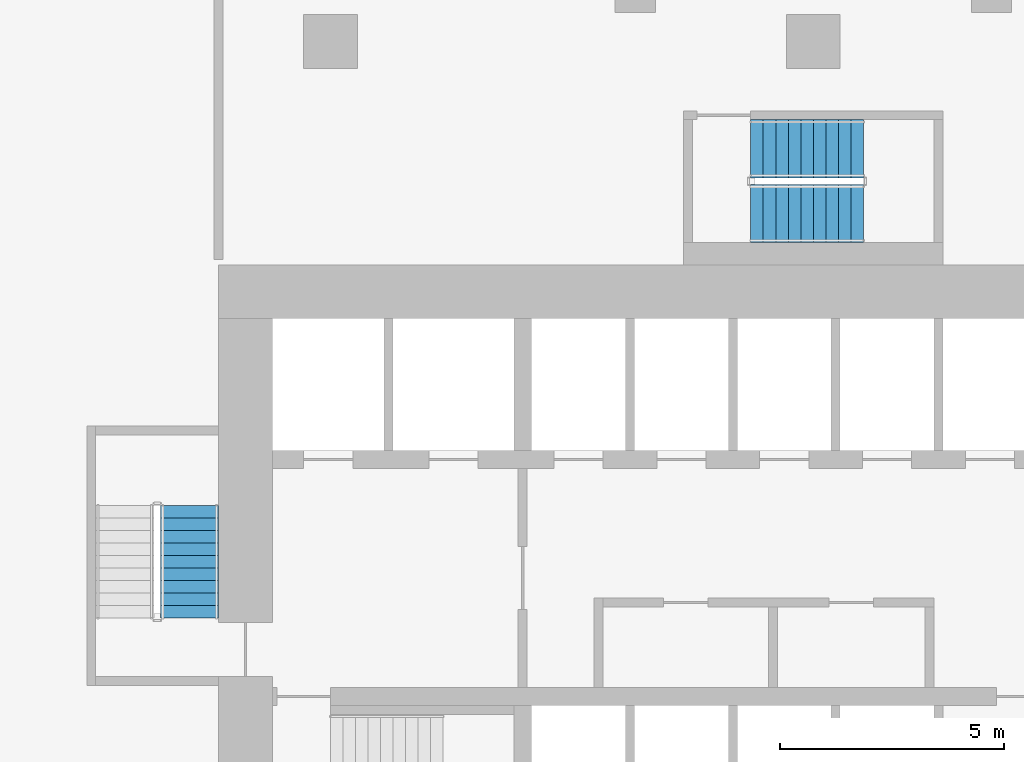
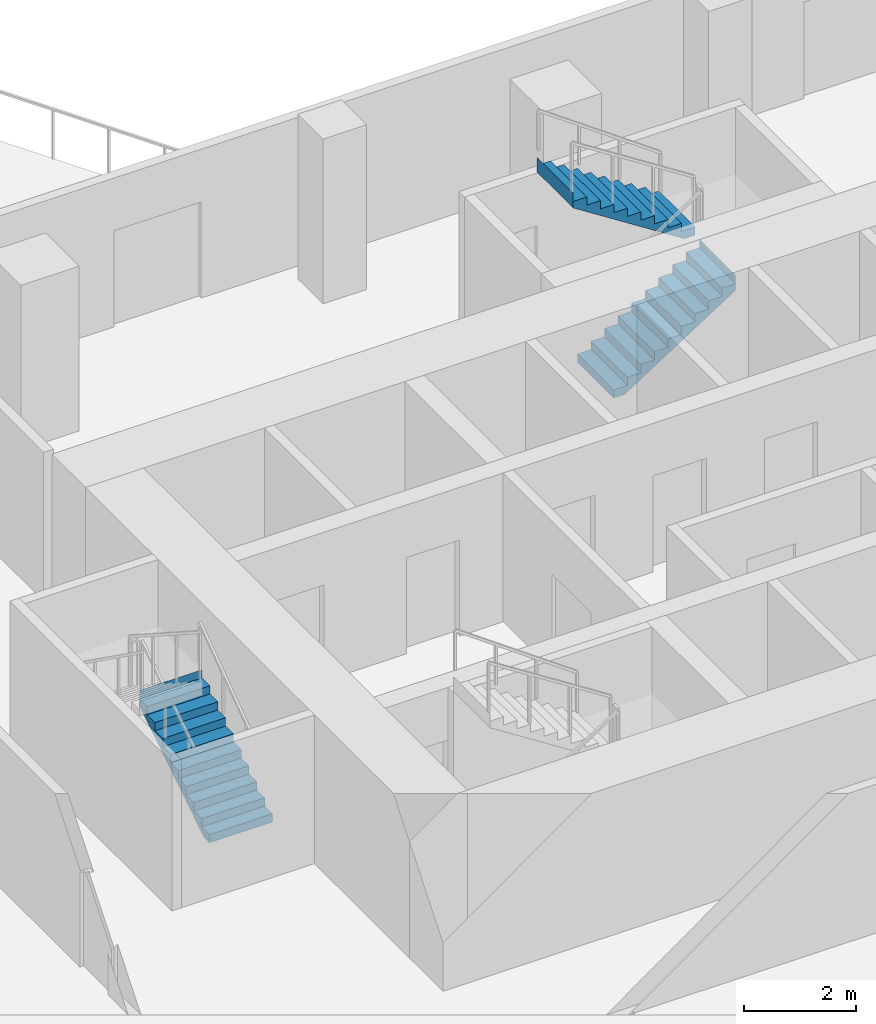
# One storey, part 19 of 25: 3 stair flights, 2 elements without a shape of their own.
"""IFC4 building model written with IfcOpenShell, lengths in metres."""

import ifcopenshell
import ifcopenshell.guid

model = None  # the IFC model being written
_history = None  # IfcOwnerHistory: only IFC2X3 demands one
_inside = {}  # id of a spatial element -> (the spatial element, [elements in it])
_under = {}  # id of a project, library or spatial element -> (it, [spatial elements below it])
_declared = {}  # id of a project -> (the project, [libraries it declares])
_typed = {}  # id of a type object -> (the type object, [elements of that type])
_made_of = {}  # id of a material, layer set ... -> (it, [elements and type objects made of it])


def new_model(schema):
    """Start an empty IFC model of exactly this schema.

    Asked for "IFC4X3", IfcOpenShell would pick the latest addendum, in which some entities
    have other attributes; the version numbers below select the first issue.
    IFC2X3 requires an IfcOwnerHistory on every rooted entity: one is made here for all.
    """
    global model, _history
    if schema == "IFC4X3":
        model = ifcopenshell.file(schema_version=(4, 3, 0, 0))
    else:
        model = ifcopenshell.file(schema=schema)
    _inside.clear()
    _under.clear()
    _declared.clear()
    _typed.clear()
    _made_of.clear()
    _history = None
    if model.schema == "IFC2X3":
        org = make("IfcOrganization", Name="unknown")
        user = make(
            "IfcPersonAndOrganization",
            ThePerson=make("IfcPerson", FamilyName="unknown"),
            TheOrganization=org,
        )
        app = make(
            "IfcApplication",
            ApplicationDeveloper=org,
            Version="unknown",
            ApplicationFullName="unknown",
            ApplicationIdentifier="unknown",
        )
        _history = make(
            "IfcOwnerHistory",
            OwningUser=user,
            OwningApplication=app,
            ChangeAction="ADDED",
            CreationDate=0,
        )
    return model


def make(cls, **values):
    """One entity of the class cls with the attributes given. An attribute that is None is left unset."""
    return model.create_entity(
        cls, **{name: value for name, value in values.items() if value is not None}
    )


def rooted(cls, **values):
    """An entity with a GlobalId (a new one), such as an element, a storey or a relation."""
    return make(cls, GlobalId=ifcopenshell.guid.new(), OwnerHistory=_history, **values)


def si_unit(unit_type, name, prefix=None):
    """IfcSIUnit, for example si_unit("LENGTHUNIT", "METRE", prefix="MILLI")."""
    return make("IfcSIUnit", UnitType=unit_type, Prefix=prefix, Name=name)


def assignment(units):
    """IfcUnitAssignment: the units of a project."""
    return None if units is None else make("IfcUnitAssignment", Units=units)


def point(xyz):
    """IfcCartesianPoint."""
    return None if xyz is None else make("IfcCartesianPoint", Coordinates=xyz)


def direction(xyz):
    """IfcDirection."""
    return None if xyz is None else make("IfcDirection", DirectionRatios=xyz)


def frame(location, z_axis=None, x_axis=None):
    """IfcAxis2Placement3D, a coordinate frame: its origin and axes. An axis left out is left unset."""
    return make(
        "IfcAxis2Placement3D",
        Location=point(location),
        Axis=direction(z_axis),
        RefDirection=direction(x_axis),
    )


def origin():
    """The frame at (0, 0, 0) with its axes left unset."""
    return frame((0.0, 0.0, 0.0))


def place(relative_to, where):
    """IfcLocalPlacement: puts the frame where relative to a parent placement (None: the world)."""
    return make(
        "IfcLocalPlacement", PlacementRelTo=relative_to, RelativePlacement=where
    )


def context(
    kind, dimensions, precision=None, world=None, true_north=None, identifier=None
):
    """IfcGeometricRepresentationContext, for example the 3D "Model" context."""
    return make(
        "IfcGeometricRepresentationContext",
        ContextIdentifier=identifier,
        ContextType=kind,
        CoordinateSpaceDimension=dimensions,
        Precision=precision,
        WorldCoordinateSystem=world,
        TrueNorth=true_north,
    )


def subcontext(parent, identifier, kind, view, scale=None):
    """IfcGeometricRepresentationSubContext, for example "Body" below "Model"."""
    return make(
        "IfcGeometricRepresentationSubContext",
        ContextIdentifier=identifier,
        ContextType=kind,
        ParentContext=parent,
        TargetScale=scale,
        TargetView=view,
    )


def project(units=None, contexts=None):
    """IfcProject with its units and contexts."""
    return rooted(
        "IfcProject",
        Name="project",
        RepresentationContexts=contexts,
        UnitsInContext=assignment(units),
    )


def spatial(cls, under=None, at=None, **own):
    """A site, building, storey or space (cls), placed at a placement, below another one or the project."""
    s = rooted(cls, ObjectPlacement=at, **own)
    if under is not None:
        _under.setdefault(under.id(), (under, []))[1].append(s)
    return s


def point_list(points):
    """IfcCartesianPointList2D or 3D."""
    cls = (
        "IfcCartesianPointList2D" if len(points[0]) == 2 else "IfcCartesianPointList3D"
    )
    return make(cls, CoordList=points)


def triangles(points, corners, closed=None, point_numbers=None):
    """IfcTriangulatedFaceSet: each triangle names its three corners, points numbered from 1."""
    return make(
        "IfcTriangulatedFaceSet",
        Coordinates=point_list(points),
        Closed=closed,
        CoordIndex=corners,
        PnIndex=point_numbers,
    )


def shape(context_of_items, identifier, shape_type, items):
    """IfcShapeRepresentation: the items that make up one representation, for example the "Body"."""
    return make(
        "IfcShapeRepresentation",
        ContextOfItems=context_of_items,
        RepresentationIdentifier=identifier,
        RepresentationType=shape_type,
        Items=items,
    )


def material(Name=None, Category=None):
    """IfcMaterial."""
    return make("IfcMaterial", Name=Name, Category=Category)


def made_of(thing, what):
    """Note that an element or type object is made of a material, layer set ...; save() writes the relation."""
    if what is not None:
        _made_of.setdefault(what.id(), (what, []))[1].append(thing)
    return thing


def type_object(cls, material=None, **own):
    """A type object (cls), such as IfcWallType, which elements share."""
    return made_of(rooted(cls, **own), material)


def element(
    cls,
    number,
    at=None,
    inside=None,
    cuts=None,
    type_object=None,
    material=None,
    context=None,
    identifier="Body",
    shape_type=None,
    held_by="IfcProductDefinitionShape",
    body=None,
    shapes=None,
    **own,
):
    """One element of the class cls, such as IfcWall. Its Tag is "e" and its number.

    at: its placement. inside: the storey or other place that contains it. cuts: it is an
    opening in that element (IfcRelVoidsElement). A single representation is given by context,
    identifier, shape_type and body (its items); several are given by shapes. held_by: the class
    of the entity that holds the representations. save() writes the other relations.
    """
    e = rooted(cls, Tag="e%d" % number, ObjectPlacement=at, **own)
    if body is not None:
        shapes = [shape(context, identifier, shape_type, body)]
    if shapes is not None:
        e.Representation = make(held_by, Representations=shapes)
    if inside is not None:
        _inside.setdefault(inside.id(), (inside, []))[1].append(e)
    if cuts is not None:
        rooted(
            "IfcRelVoidsElement", RelatingBuildingElement=cuts, RelatedOpeningElement=e
        )
    if type_object is not None:
        _typed.setdefault(type_object.id(), (type_object, []))[1].append(e)
    return made_of(e, material)


def aggregate(whole, parts):
    """IfcRelAggregates: a whole, such as a stair, and the parts it consists of."""
    return rooted("IfcRelAggregates", RelatingObject=whole, RelatedObjects=parts)


def save(model, path):
    """Write the relations noted so far, then the file.

    IfcRelAggregates (storeys below a building ...), IfcRelContainedInSpatialStructure (elements
    in a storey), IfcRelDefinesByType, IfcRelAssociatesMaterial and IfcRelDeclares: one each for
    every whole, place, type object, material and project.
    """
    for whole, parts in _under.values():
        aggregate(whole, parts)
    for where, things in _inside.values():
        rooted(
            "IfcRelContainedInSpatialStructure",
            RelatedElements=things,
            RelatingStructure=where,
        )
    for kind, things in _typed.values():
        rooted("IfcRelDefinesByType", RelatedObjects=things, RelatingType=kind)
    for what, things in _made_of.values():
        rooted("IfcRelAssociatesMaterial", RelatedObjects=things, RelatingMaterial=what)
    for by, libraries in _declared.values():
        rooted("IfcRelDeclares", RelatingContext=by, RelatedDefinitions=libraries)
    model.write(path)


model = new_model("IFC4")

# Units and contexts
model_context = context("Model", 3, precision=1e-05, world=origin(), true_north=direction((0.0, 1.0)))
body_context = subcontext(model_context, "Body", "Model", "MODEL_VIEW")
ifc_project = project(units=[si_unit("LENGTHUNIT", "METRE"), si_unit("AREAUNIT", "SQUARE_METRE"), si_unit("VOLUMEUNIT", "CUBIC_METRE"), si_unit("PLANEANGLEUNIT", "RADIAN"), si_unit("MASSUNIT", "GRAM", prefix="KILO")], contexts=[model_context])

# Site, building, storey
site_placement = place(None, origin())
site = spatial("IfcSite", under=ifc_project, at=site_placement, CompositionType="ELEMENT")
building_placement = place(site_placement, origin())
building = spatial("IfcBuilding", under=site, at=building_placement, Name="Beryl Residences", CompositionType="ELEMENT")
storey_placement = place(building_placement, frame((0.0, 0.0, 16.199951171875)))
storey = spatial("IfcBuildingStorey", under=building, at=storey_placement, Name="L04", CompositionType="ELEMENT", Elevation=16.199951171875)

# Stair, stair flight
ifc_material_1 = material(Name="Concrete C40/50", Category="concrete")
stair_type = type_object("IfcStairType", Name="ST1 protected exit stair, half-turn, 1300 mm flights", PredefinedType="HALF_TURN_STAIR", material=ifc_material_1)
stair_1_placement = place(storey_placement, origin())
stair_1 = element("IfcStair", 1, at=stair_1_placement, inside=storey, type_object=stair_type, Name="L04 PROTECTED EXIT STAIR ST-2", PredefinedType="HALF_TURN_STAIR")
ifc_material_2 = material(Name="Concrete C40/50", Category="concrete")
stair_flight_type = type_object("IfcStairFlightType", Name="SF1 stair flight 1300 mm", PredefinedType="STRAIGHT", material=ifc_material_2)
stair_flight_1_placement = place(storey_placement, frame((-13.949951171875, -12.89990234375, 0.0), z_axis=(0.0, 0.0, 1.0), x_axis=(0.0, 1.0, 0.0)))
stair_flight_1 = element("IfcStairFlight", 2, at=stair_flight_1_placement, type_object=stair_flight_type, Name="ST-2 flight 1", NumberOfRisers=10, NumberOfTreads=9, PredefinedType="STRAIGHT", RiserHeight=0.18, TreadLength=0.28, context=body_context, shape_type="Tessellation", body=[
    triangles([(0.0, -0.64990234375, 0.0), (0.0, -0.324951171875, 0.0), (0.0, 0.0, 0.0), (0.0, 0.324951171875, 0.0), (0.0, 0.64990234375, 0.0), (0.0, -0.64990234375, 0.179931640625), (0.0, -0.324951171875, 0.179931640625), (0.0, 0.0, 0.179931640625), (0.0, 0.324951171875, 0.179931640625), (0.0, 0.64990234375, 0.179931640625), (0.280029296875, -0.64990234375, 0.179931640625), (0.280029296875, -0.324951171875, 0.179931640625), (0.280029296875, 0.0, 0.179931640625), (0.280029296875, 0.324951171875, 0.179931640625), (0.280029296875, 0.64990234375, 0.179931640625), (0.280029296875, -0.64990234375, 0.360107421875), (0.280029296875, -0.324951171875, 0.360107421875), (0.280029296875, 0.0, 0.360107421875), (0.280029296875, 0.324951171875, 0.360107421875), (0.280029296875, 0.64990234375, 0.360107421875), (0.56005859375, -0.64990234375, 0.360107421875), (0.56005859375, -0.324951171875, 0.360107421875), (0.56005859375, 0.0, 0.360107421875), (0.56005859375, 0.324951171875, 0.360107421875), (0.56005859375, 0.64990234375, 0.360107421875), (0.56005859375, -0.64990234375, 0.5400390625), (0.56005859375, -0.324951171875, 0.5400390625), (0.56005859375, 0.0, 0.5400390625), (0.56005859375, 0.324951171875, 0.5400390625), (0.56005859375, 0.64990234375, 0.5400390625), (0.840087890625, -0.64990234375, 0.5400390625), (0.840087890625, -0.324951171875, 0.5400390625), (0.840087890625, 0.0, 0.5400390625), (0.840087890625, 0.324951171875, 0.5400390625), (0.840087890625, 0.64990234375, 0.5400390625), (0.840087890625, -0.64990234375, 0.719970703125), (0.840087890625, -0.324951171875, 0.719970703125), (0.840087890625, 0.0, 0.719970703125), (0.840087890625, 0.324951171875, 0.719970703125), (0.840087890625, 0.64990234375, 0.719970703125), (1.1201171875, -0.64990234375, 0.719970703125), (1.1201171875, -0.324951171875, 0.719970703125), (1.1201171875, 0.0, 0.719970703125), (1.1201171875, 0.324951171875, 0.719970703125), (1.1201171875, 0.64990234375, 0.719970703125), (1.1201171875, -0.64990234375, 0.89990234375), (1.1201171875, -0.324951171875, 0.89990234375), (1.1201171875, 0.0, 0.89990234375), (1.1201171875, 0.324951171875, 0.89990234375), (1.1201171875, 0.64990234375, 0.89990234375), (1.39990234375, -0.64990234375, 0.89990234375), (1.39990234375, -0.324951171875, 0.89990234375), (1.39990234375, 0.0, 0.89990234375), (1.39990234375, 0.324951171875, 0.89990234375), (1.39990234375, 0.64990234375, 0.89990234375), (1.39990234375, -0.64990234375, 1.080078125), (1.39990234375, -0.324951171875, 1.080078125), (1.39990234375, 0.0, 1.080078125), (1.39990234375, 0.324951171875, 1.080078125), (1.39990234375, 0.64990234375, 1.080078125), (1.679931640625, -0.64990234375, 1.080078125), (1.679931640625, -0.324951171875, 1.080078125), (1.679931640625, 0.0, 1.080078125), (1.679931640625, 0.324951171875, 1.080078125), (1.679931640625, 0.64990234375, 1.080078125), (1.679931640625, -0.64990234375, 1.260009765625), (1.679931640625, -0.324951171875, 1.260009765625), (1.679931640625, 0.0, 1.260009765625), (1.679931640625, 0.324951171875, 1.260009765625), (1.679931640625, 0.64990234375, 1.260009765625), (1.9599609375, -0.64990234375, 1.260009765625), (1.9599609375, -0.324951171875, 1.260009765625), (1.9599609375, 0.0, 1.260009765625), (1.9599609375, 0.324951171875, 1.260009765625), (1.9599609375, 0.64990234375, 1.260009765625), (1.9599609375, -0.64990234375, 1.43994140625), (1.9599609375, -0.324951171875, 1.43994140625), (1.9599609375, 0.0, 1.43994140625), (1.9599609375, 0.324951171875, 1.43994140625), (1.9599609375, 0.64990234375, 1.43994140625), (2.239990234375, -0.64990234375, 1.43994140625), (2.239990234375, -0.324951171875, 1.43994140625), (2.239990234375, 0.0, 1.43994140625), (2.239990234375, 0.324951171875, 1.43994140625), (2.239990234375, 0.64990234375, 1.43994140625), (2.239990234375, -0.64990234375, 1.6201171875), (2.239990234375, -0.324951171875, 1.6201171875), (2.239990234375, 0.0, 1.6201171875), (2.239990234375, 0.324951171875, 1.6201171875), (2.239990234375, 0.64990234375, 1.6201171875), (2.52001953125, -0.64990234375, 1.6201171875), (2.52001953125, -0.324951171875, 1.6201171875), (2.52001953125, 0.0, 1.6201171875), (2.52001953125, 0.324951171875, 1.6201171875), (2.52001953125, 0.64990234375, 1.6201171875), (2.52001953125, -0.64990234375, 1.800048828125), (2.52001953125, -0.324951171875, 1.800048828125), (2.52001953125, 0.0, 1.800048828125), (2.52001953125, 0.324951171875, 1.800048828125), (2.52001953125, 0.64990234375, 1.800048828125), (2.52099609375, -0.64990234375, 1.800048828125), (2.52099609375, -0.324951171875, 1.800048828125), (2.52099609375, 0.0, 1.800048828125), (2.52099609375, 0.324951171875, 1.800048828125), (2.52099609375, 0.64990234375, 1.800048828125), (2.52099609375, -0.64990234375, 1.477294921875), (2.52099609375, -0.324951171875, 1.477294921875), (2.52099609375, 0.0, 1.477294921875), (2.52099609375, 0.324951171875, 1.477294921875), (2.52099609375, 0.64990234375, 1.477294921875), (0.22314453125, -0.64990234375, 0.0), (0.22314453125, -0.324951171875, 0.0), (0.22314453125, 0.0, 0.0), (0.22314453125, 0.324951171875, 0.0), (0.22314453125, 0.64990234375, 0.0)], [[1, 6, 7], [1, 7, 2], [2, 7, 8], [2, 8, 3], [3, 8, 9], [3, 9, 4], [4, 9, 10], [4, 10, 5], [6, 11, 12], [6, 12, 7], [7, 12, 13], [7, 13, 8], [8, 13, 14], [8, 14, 9], [9, 14, 15], [9, 15, 10], [11, 16, 17], [11, 17, 12], [12, 17, 18], [12, 18, 13], [13, 18, 19], [13, 19, 14], [14, 19, 20], [14, 20, 15], [16, 21, 22], [16, 22, 17], [17, 22, 23], [17, 23, 18], [18, 23, 24], [18, 24, 19], [19, 24, 25], [19, 25, 20], [21, 26, 27], [21, 27, 22], [22, 27, 28], [22, 28, 23], [23, 28, 29], [23, 29, 24], [24, 29, 30], [24, 30, 25], [26, 31, 32], [26, 32, 27], [27, 32, 33], [27, 33, 28], [28, 33, 34], [28, 34, 29], [29, 34, 35], [29, 35, 30], [31, 36, 37], [31, 37, 32], [32, 37, 38], [32, 38, 33], [33, 38, 39], [33, 39, 34], [34, 39, 40], [34, 40, 35], [36, 41, 42], [36, 42, 37], [37, 42, 43], [37, 43, 38], [38, 43, 44], [38, 44, 39], [39, 44, 45], [39, 45, 40], [41, 46, 47], [41, 47, 42], [42, 47, 48], [42, 48, 43], [43, 48, 49], [43, 49, 44], [44, 49, 50], [44, 50, 45], [46, 51, 52], [46, 52, 47], [47, 52, 53], [47, 53, 48], [48, 53, 54], [48, 54, 49], [49, 54, 55], [49, 55, 50], [51, 56, 57], [51, 57, 52], [52, 57, 58], [52, 58, 53], [53, 58, 59], [53, 59, 54], [54, 59, 60], [54, 60, 55], [56, 61, 62], [56, 62, 57], [57, 62, 63], [57, 63, 58], [58, 63, 64], [58, 64, 59], [59, 64, 65], [59, 65, 60], [61, 66, 67], [61, 67, 62], [62, 67, 68], [62, 68, 63], [63, 68, 69], [63, 69, 64], [64, 69, 70], [64, 70, 65], [66, 71, 72], [66, 72, 67], [67, 72, 73], [67, 73, 68], [68, 73, 74], [68, 74, 69], [69, 74, 75], [69, 75, 70], [71, 76, 77], [71, 77, 72], [72, 77, 78], [72, 78, 73], [73, 78, 79], [73, 79, 74], [74, 79, 80], [74, 80, 75], [76, 81, 82], [76, 82, 77], [77, 82, 83], [77, 83, 78], [78, 83, 84], [78, 84, 79], [79, 84, 85], [79, 85, 80], [81, 86, 87], [81, 87, 82], [82, 87, 88], [82, 88, 83], [83, 88, 89], [83, 89, 84], [84, 89, 90], [84, 90, 85], [86, 91, 92], [86, 92, 87], [87, 92, 93], [87, 93, 88], [88, 93, 94], [88, 94, 89], [89, 94, 95], [89, 95, 90], [91, 96, 97], [91, 97, 92], [92, 97, 98], [92, 98, 93], [93, 98, 99], [93, 99, 94], [94, 99, 100], [94, 100, 95], [96, 101, 102], [96, 102, 97], [97, 102, 103], [97, 103, 98], [98, 103, 104], [98, 104, 99], [99, 104, 105], [99, 105, 100], [101, 106, 107], [101, 107, 102], [102, 107, 108], [102, 108, 103], [103, 108, 109], [103, 109, 104], [104, 109, 110], [104, 110, 105], [106, 111, 112], [106, 112, 107], [107, 112, 113], [107, 113, 108], [108, 113, 114], [108, 114, 109], [109, 114, 115], [109, 115, 110], [111, 1, 2], [111, 2, 112], [112, 2, 3], [112, 3, 113], [113, 3, 4], [113, 4, 114], [114, 4, 5], [114, 5, 115], [1, 111, 106], [5, 110, 115], [106, 101, 96], [110, 100, 105], [106, 96, 91], [110, 95, 100], [106, 91, 86], [110, 90, 95], [106, 86, 81], [110, 85, 90], [81, 76, 71], [85, 75, 80], [106, 81, 71], [110, 75, 85], [71, 66, 61], [75, 65, 70], [106, 71, 61], [110, 65, 75], [61, 56, 51], [65, 55, 60], [106, 61, 51], [110, 55, 65], [51, 46, 41], [55, 45, 50], [106, 51, 41], [110, 45, 55], [41, 36, 31], [45, 35, 40], [106, 41, 31], [110, 35, 45], [31, 26, 21], [35, 25, 30], [106, 31, 21], [110, 25, 35], [21, 16, 11], [25, 15, 20], [106, 21, 11], [110, 15, 25], [1, 106, 11], [5, 15, 110], [11, 6, 1], [15, 5, 10]], closed=True),
])
aggregate(stair_1, [stair_flight_1])

# Stair, stair flights
stair_2_placement = place(storey_placement, origin())
stair_2 = element("IfcStair", 3, at=stair_2_placement, inside=storey, type_object=stair_type, Name="L04 PROTECTED EXIT STAIR ST-4", PredefinedType="HALF_TURN_STAIR")
stair_flight_2_placement = place(storey_placement, frame((-1.39990234375, -3.85009765625, 0.0), z_axis=(0.0, 0.0, 1.0), x_axis=(1.0, 0.0, 0.0)))
stair_flight_2 = element("IfcStairFlight", 4, at=stair_flight_2_placement, type_object=stair_flight_type, Name="ST-4 flight 1", NumberOfRisers=10, NumberOfTreads=9, PredefinedType="STRAIGHT", RiserHeight=0.18, TreadLength=0.28, context=body_context, shape_type="Tessellation", body=[
    triangles([(0.0, -0.64990234375, 0.0), (0.0, -0.324951171875, 0.0), (0.0, 0.0, 0.0), (0.0, 0.324951171875, 0.0), (0.0, 0.64990234375, 0.0), (0.0, -0.64990234375, 0.179931640625), (0.0, -0.324951171875, 0.179931640625), (0.0, 0.0, 0.179931640625), (0.0, 0.324951171875, 0.179931640625), (0.0, 0.64990234375, 0.179931640625), (0.280029296875, -0.64990234375, 0.179931640625), (0.280029296875, -0.324951171875, 0.179931640625), (0.280029296875, 0.0, 0.179931640625), (0.280029296875, 0.324951171875, 0.179931640625), (0.280029296875, 0.64990234375, 0.179931640625), (0.280029296875, -0.64990234375, 0.360107421875), (0.280029296875, -0.324951171875, 0.360107421875), (0.280029296875, 0.0, 0.360107421875), (0.280029296875, 0.324951171875, 0.360107421875), (0.280029296875, 0.64990234375, 0.360107421875), (0.56005859375, -0.64990234375, 0.360107421875), (0.56005859375, -0.324951171875, 0.360107421875), (0.56005859375, 0.0, 0.360107421875), (0.56005859375, 0.324951171875, 0.360107421875), (0.56005859375, 0.64990234375, 0.360107421875), (0.56005859375, -0.64990234375, 0.5400390625), (0.56005859375, -0.324951171875, 0.5400390625), (0.56005859375, 0.0, 0.5400390625), (0.56005859375, 0.324951171875, 0.5400390625), (0.56005859375, 0.64990234375, 0.5400390625), (0.840087890625, -0.64990234375, 0.5400390625), (0.840087890625, -0.324951171875, 0.5400390625), (0.840087890625, 0.0, 0.5400390625), (0.840087890625, 0.324951171875, 0.5400390625), (0.840087890625, 0.64990234375, 0.5400390625), (0.840087890625, -0.64990234375, 0.719970703125), (0.840087890625, -0.324951171875, 0.719970703125), (0.840087890625, 0.0, 0.719970703125), (0.840087890625, 0.324951171875, 0.719970703125), (0.840087890625, 0.64990234375, 0.719970703125), (1.1201171875, -0.64990234375, 0.719970703125), (1.1201171875, -0.324951171875, 0.719970703125), (1.1201171875, 0.0, 0.719970703125), (1.1201171875, 0.324951171875, 0.719970703125), (1.1201171875, 0.64990234375, 0.719970703125), (1.1201171875, -0.64990234375, 0.89990234375), (1.1201171875, -0.324951171875, 0.89990234375), (1.1201171875, 0.0, 0.89990234375), (1.1201171875, 0.324951171875, 0.89990234375), (1.1201171875, 0.64990234375, 0.89990234375), (1.39990234375, -0.64990234375, 0.89990234375), (1.39990234375, -0.324951171875, 0.89990234375), (1.39990234375, 0.0, 0.89990234375), (1.39990234375, 0.324951171875, 0.89990234375), (1.39990234375, 0.64990234375, 0.89990234375), (1.39990234375, -0.64990234375, 1.080078125), (1.39990234375, -0.324951171875, 1.080078125), (1.39990234375, 0.0, 1.080078125), (1.39990234375, 0.324951171875, 1.080078125), (1.39990234375, 0.64990234375, 1.080078125), (1.679931640625, -0.64990234375, 1.080078125), (1.679931640625, -0.324951171875, 1.080078125), (1.679931640625, 0.0, 1.080078125), (1.679931640625, 0.324951171875, 1.080078125), (1.679931640625, 0.64990234375, 1.080078125), (1.679931640625, -0.64990234375, 1.260009765625), (1.679931640625, -0.324951171875, 1.260009765625), (1.679931640625, 0.0, 1.260009765625), (1.679931640625, 0.324951171875, 1.260009765625), (1.679931640625, 0.64990234375, 1.260009765625), (1.9599609375, -0.64990234375, 1.260009765625), (1.9599609375, -0.324951171875, 1.260009765625), (1.9599609375, 0.0, 1.260009765625), (1.9599609375, 0.324951171875, 1.260009765625), (1.9599609375, 0.64990234375, 1.260009765625), (1.9599609375, -0.64990234375, 1.43994140625), (1.9599609375, -0.324951171875, 1.43994140625), (1.9599609375, 0.0, 1.43994140625), (1.9599609375, 0.324951171875, 1.43994140625), (1.9599609375, 0.64990234375, 1.43994140625), (2.239990234375, -0.64990234375, 1.43994140625), (2.239990234375, -0.324951171875, 1.43994140625), (2.239990234375, 0.0, 1.43994140625), (2.239990234375, 0.324951171875, 1.43994140625), (2.239990234375, 0.64990234375, 1.43994140625), (2.239990234375, -0.64990234375, 1.6201171875), (2.239990234375, -0.324951171875, 1.6201171875), (2.239990234375, 0.0, 1.6201171875), (2.239990234375, 0.324951171875, 1.6201171875), (2.239990234375, 0.64990234375, 1.6201171875), (2.52001953125, -0.64990234375, 1.6201171875), (2.52001953125, -0.324951171875, 1.6201171875), (2.52001953125, 0.0, 1.6201171875), (2.52001953125, 0.324951171875, 1.6201171875), (2.52001953125, 0.64990234375, 1.6201171875), (2.52001953125, -0.64990234375, 1.800048828125), (2.52001953125, -0.324951171875, 1.800048828125), (2.52001953125, 0.0, 1.800048828125), (2.52001953125, 0.324951171875, 1.800048828125), (2.52001953125, 0.64990234375, 1.800048828125), (2.52099609375, -0.64990234375, 1.800048828125), (2.52099609375, -0.324951171875, 1.800048828125), (2.52099609375, 0.0, 1.800048828125), (2.52099609375, 0.324951171875, 1.800048828125), (2.52099609375, 0.64990234375, 1.800048828125), (2.52099609375, -0.64990234375, 1.477294921875), (2.52099609375, -0.324951171875, 1.477294921875), (2.52099609375, 0.0, 1.477294921875), (2.52099609375, 0.324951171875, 1.477294921875), (2.52099609375, 0.64990234375, 1.477294921875), (0.22314453125, -0.64990234375, 0.0), (0.22314453125, -0.324951171875, 0.0), (0.22314453125, 0.0, 0.0), (0.22314453125, 0.324951171875, 0.0), (0.22314453125, 0.64990234375, 0.0)], [[1, 6, 7], [1, 7, 2], [2, 7, 8], [2, 8, 3], [3, 8, 9], [3, 9, 4], [4, 9, 10], [4, 10, 5], [6, 11, 12], [6, 12, 7], [7, 12, 13], [7, 13, 8], [8, 13, 14], [8, 14, 9], [9, 14, 15], [9, 15, 10], [11, 16, 17], [11, 17, 12], [12, 17, 18], [12, 18, 13], [13, 18, 19], [13, 19, 14], [14, 19, 20], [14, 20, 15], [16, 21, 22], [16, 22, 17], [17, 22, 23], [17, 23, 18], [18, 23, 24], [18, 24, 19], [19, 24, 25], [19, 25, 20], [21, 26, 27], [21, 27, 22], [22, 27, 28], [22, 28, 23], [23, 28, 29], [23, 29, 24], [24, 29, 30], [24, 30, 25], [26, 31, 32], [26, 32, 27], [27, 32, 33], [27, 33, 28], [28, 33, 34], [28, 34, 29], [29, 34, 35], [29, 35, 30], [31, 36, 37], [31, 37, 32], [32, 37, 38], [32, 38, 33], [33, 38, 39], [33, 39, 34], [34, 39, 40], [34, 40, 35], [36, 41, 42], [36, 42, 37], [37, 42, 43], [37, 43, 38], [38, 43, 44], [38, 44, 39], [39, 44, 45], [39, 45, 40], [41, 46, 47], [41, 47, 42], [42, 47, 48], [42, 48, 43], [43, 48, 49], [43, 49, 44], [44, 49, 50], [44, 50, 45], [46, 51, 52], [46, 52, 47], [47, 52, 53], [47, 53, 48], [48, 53, 54], [48, 54, 49], [49, 54, 55], [49, 55, 50], [51, 56, 57], [51, 57, 52], [52, 57, 58], [52, 58, 53], [53, 58, 59], [53, 59, 54], [54, 59, 60], [54, 60, 55], [56, 61, 62], [56, 62, 57], [57, 62, 63], [57, 63, 58], [58, 63, 64], [58, 64, 59], [59, 64, 65], [59, 65, 60], [61, 66, 67], [61, 67, 62], [62, 67, 68], [62, 68, 63], [63, 68, 69], [63, 69, 64], [64, 69, 70], [64, 70, 65], [66, 71, 72], [66, 72, 67], [67, 72, 73], [67, 73, 68], [68, 73, 74], [68, 74, 69], [69, 74, 75], [69, 75, 70], [71, 76, 77], [71, 77, 72], [72, 77, 78], [72, 78, 73], [73, 78, 79], [73, 79, 74], [74, 79, 80], [74, 80, 75], [76, 81, 82], [76, 82, 77], [77, 82, 83], [77, 83, 78], [78, 83, 84], [78, 84, 79], [79, 84, 85], [79, 85, 80], [81, 86, 87], [81, 87, 82], [82, 87, 88], [82, 88, 83], [83, 88, 89], [83, 89, 84], [84, 89, 90], [84, 90, 85], [86, 91, 92], [86, 92, 87], [87, 92, 93], [87, 93, 88], [88, 93, 94], [88, 94, 89], [89, 94, 95], [89, 95, 90], [91, 96, 97], [91, 97, 92], [92, 97, 98], [92, 98, 93], [93, 98, 99], [93, 99, 94], [94, 99, 100], [94, 100, 95], [96, 101, 102], [96, 102, 97], [97, 102, 103], [97, 103, 98], [98, 103, 104], [98, 104, 99], [99, 104, 105], [99, 105, 100], [101, 106, 107], [101, 107, 102], [102, 107, 108], [102, 108, 103], [103, 108, 109], [103, 109, 104], [104, 109, 110], [104, 110, 105], [106, 111, 112], [106, 112, 107], [107, 112, 113], [107, 113, 108], [108, 113, 114], [108, 114, 109], [109, 114, 115], [109, 115, 110], [111, 1, 2], [111, 2, 112], [112, 2, 3], [112, 3, 113], [113, 3, 4], [113, 4, 114], [114, 4, 5], [114, 5, 115], [1, 111, 106], [5, 110, 115], [106, 101, 96], [110, 100, 105], [106, 96, 91], [110, 95, 100], [106, 91, 86], [110, 90, 95], [106, 86, 81], [110, 85, 90], [81, 76, 71], [85, 75, 80], [106, 81, 71], [110, 75, 85], [71, 66, 61], [75, 65, 70], [106, 71, 61], [110, 65, 75], [61, 56, 51], [65, 55, 60], [106, 61, 51], [110, 55, 65], [51, 46, 41], [55, 45, 50], [106, 51, 41], [110, 45, 55], [41, 36, 31], [45, 35, 40], [106, 41, 31], [110, 35, 45], [31, 26, 21], [35, 25, 30], [106, 31, 21], [110, 25, 35], [21, 16, 11], [25, 15, 20], [106, 21, 11], [110, 15, 25], [1, 106, 11], [5, 15, 110], [11, 6, 1], [15, 5, 10]], closed=True),
])
stair_flight_3_placement = place(storey_placement, frame((1.1201171875, -2.39990234375, 1.800048828125), z_axis=(0.0, 0.0, 1.0), x_axis=(-1.0, 0.0, 0.0)))
stair_flight_3 = element("IfcStairFlight", 5, at=stair_flight_3_placement, type_object=stair_flight_type, Name="ST-4 flight 2", NumberOfRisers=10, NumberOfTreads=9, PredefinedType="STRAIGHT", RiserHeight=0.18, TreadLength=0.28, context=body_context, shape_type="Tessellation", body=[
    triangles([(0.0, -0.64990234375, 0.0), (0.0, -0.324951171875, 0.0), (0.0, 0.0, 0.0), (0.0, 0.324951171875, 0.0), (0.0, 0.64990234375, 0.0), (0.0, -0.64990234375, 0.179931640625), (0.0, -0.324951171875, 0.179931640625), (0.0, 0.0, 0.179931640625), (0.0, 0.324951171875, 0.179931640625), (0.0, 0.64990234375, 0.179931640625), (0.280029296875, -0.64990234375, 0.179931640625), (0.280029296875, -0.324951171875, 0.179931640625), (0.280029296875, 0.0, 0.179931640625), (0.280029296875, 0.324951171875, 0.179931640625), (0.280029296875, 0.64990234375, 0.179931640625), (0.280029296875, -0.64990234375, 0.360107421875), (0.280029296875, -0.324951171875, 0.360107421875), (0.280029296875, 0.0, 0.360107421875), (0.280029296875, 0.324951171875, 0.360107421875), (0.280029296875, 0.64990234375, 0.360107421875), (0.56005859375, -0.64990234375, 0.360107421875), (0.56005859375, -0.324951171875, 0.360107421875), (0.56005859375, 0.0, 0.360107421875), (0.56005859375, 0.324951171875, 0.360107421875), (0.56005859375, 0.64990234375, 0.360107421875), (0.56005859375, -0.64990234375, 0.5400390625), (0.56005859375, -0.324951171875, 0.5400390625), (0.56005859375, 0.0, 0.5400390625), (0.56005859375, 0.324951171875, 0.5400390625), (0.56005859375, 0.64990234375, 0.5400390625), (0.840087890625, -0.64990234375, 0.5400390625), (0.840087890625, -0.324951171875, 0.5400390625), (0.840087890625, 0.0, 0.5400390625), (0.840087890625, 0.324951171875, 0.5400390625), (0.840087890625, 0.64990234375, 0.5400390625), (0.840087890625, -0.64990234375, 0.719970703125), (0.840087890625, -0.324951171875, 0.719970703125), (0.840087890625, 0.0, 0.719970703125), (0.840087890625, 0.324951171875, 0.719970703125), (0.840087890625, 0.64990234375, 0.719970703125), (1.1201171875, -0.64990234375, 0.719970703125), (1.1201171875, -0.324951171875, 0.719970703125), (1.1201171875, 0.0, 0.719970703125), (1.1201171875, 0.324951171875, 0.719970703125), (1.1201171875, 0.64990234375, 0.719970703125), (1.1201171875, -0.64990234375, 0.89990234375), (1.1201171875, -0.324951171875, 0.89990234375), (1.1201171875, 0.0, 0.89990234375), (1.1201171875, 0.324951171875, 0.89990234375), (1.1201171875, 0.64990234375, 0.89990234375), (1.39990234375, -0.64990234375, 0.89990234375), (1.39990234375, -0.324951171875, 0.89990234375), (1.39990234375, 0.0, 0.89990234375), (1.39990234375, 0.324951171875, 0.89990234375), (1.39990234375, 0.64990234375, 0.89990234375), (1.39990234375, -0.64990234375, 1.080078125), (1.39990234375, -0.324951171875, 1.080078125), (1.39990234375, 0.0, 1.080078125), (1.39990234375, 0.324951171875, 1.080078125), (1.39990234375, 0.64990234375, 1.080078125), (1.679931640625, -0.64990234375, 1.080078125), (1.679931640625, -0.324951171875, 1.080078125), (1.679931640625, 0.0, 1.080078125), (1.679931640625, 0.324951171875, 1.080078125), (1.679931640625, 0.64990234375, 1.080078125), (1.679931640625, -0.64990234375, 1.260009765625), (1.679931640625, -0.324951171875, 1.260009765625), (1.679931640625, 0.0, 1.260009765625), (1.679931640625, 0.324951171875, 1.260009765625), (1.679931640625, 0.64990234375, 1.260009765625), (1.9599609375, -0.64990234375, 1.260009765625), (1.9599609375, -0.324951171875, 1.260009765625), (1.9599609375, 0.0, 1.260009765625), (1.9599609375, 0.324951171875, 1.260009765625), (1.9599609375, 0.64990234375, 1.260009765625), (1.9599609375, -0.64990234375, 1.43994140625), (1.9599609375, -0.324951171875, 1.43994140625), (1.9599609375, 0.0, 1.43994140625), (1.9599609375, 0.324951171875, 1.43994140625), (1.9599609375, 0.64990234375, 1.43994140625), (2.239990234375, -0.64990234375, 1.43994140625), (2.239990234375, -0.324951171875, 1.43994140625), (2.239990234375, 0.0, 1.43994140625), (2.239990234375, 0.324951171875, 1.43994140625), (2.239990234375, 0.64990234375, 1.43994140625), (2.239990234375, -0.64990234375, 1.6201171875), (2.239990234375, -0.324951171875, 1.6201171875), (2.239990234375, 0.0, 1.6201171875), (2.239990234375, 0.324951171875, 1.6201171875), (2.239990234375, 0.64990234375, 1.6201171875), (2.52001953125, -0.64990234375, 1.6201171875), (2.52001953125, -0.324951171875, 1.6201171875), (2.52001953125, 0.0, 1.6201171875), (2.52001953125, 0.324951171875, 1.6201171875), (2.52001953125, 0.64990234375, 1.6201171875), (2.52001953125, -0.64990234375, 1.800048828125), (2.52001953125, -0.324951171875, 1.800048828125), (2.52001953125, 0.0, 1.800048828125), (2.52001953125, 0.324951171875, 1.800048828125), (2.52001953125, 0.64990234375, 1.800048828125), (2.52099609375, -0.64990234375, 1.800048828125), (2.52099609375, -0.324951171875, 1.800048828125), (2.52099609375, 0.0, 1.800048828125), (2.52099609375, 0.324951171875, 1.800048828125), (2.52099609375, 0.64990234375, 1.800048828125), (2.52099609375, -0.64990234375, 1.477294921875), (2.52099609375, -0.324951171875, 1.477294921875), (2.52099609375, 0.0, 1.477294921875), (2.52099609375, 0.324951171875, 1.477294921875), (2.52099609375, 0.64990234375, 1.477294921875), (0.22314453125, -0.64990234375, 0.0), (0.22314453125, -0.324951171875, 0.0), (0.22314453125, 0.0, 0.0), (0.22314453125, 0.324951171875, 0.0), (0.22314453125, 0.64990234375, 0.0)], [[1, 6, 7], [1, 7, 2], [2, 7, 8], [2, 8, 3], [3, 8, 9], [3, 9, 4], [4, 9, 10], [4, 10, 5], [6, 11, 12], [6, 12, 7], [7, 12, 13], [7, 13, 8], [8, 13, 14], [8, 14, 9], [9, 14, 15], [9, 15, 10], [11, 16, 17], [11, 17, 12], [12, 17, 18], [12, 18, 13], [13, 18, 19], [13, 19, 14], [14, 19, 20], [14, 20, 15], [16, 21, 22], [16, 22, 17], [17, 22, 23], [17, 23, 18], [18, 23, 24], [18, 24, 19], [19, 24, 25], [19, 25, 20], [21, 26, 27], [21, 27, 22], [22, 27, 28], [22, 28, 23], [23, 28, 29], [23, 29, 24], [24, 29, 30], [24, 30, 25], [26, 31, 32], [26, 32, 27], [27, 32, 33], [27, 33, 28], [28, 33, 34], [28, 34, 29], [29, 34, 35], [29, 35, 30], [31, 36, 37], [31, 37, 32], [32, 37, 38], [32, 38, 33], [33, 38, 39], [33, 39, 34], [34, 39, 40], [34, 40, 35], [36, 41, 42], [36, 42, 37], [37, 42, 43], [37, 43, 38], [38, 43, 44], [38, 44, 39], [39, 44, 45], [39, 45, 40], [41, 46, 47], [41, 47, 42], [42, 47, 48], [42, 48, 43], [43, 48, 49], [43, 49, 44], [44, 49, 50], [44, 50, 45], [46, 51, 52], [46, 52, 47], [47, 52, 53], [47, 53, 48], [48, 53, 54], [48, 54, 49], [49, 54, 55], [49, 55, 50], [51, 56, 57], [51, 57, 52], [52, 57, 58], [52, 58, 53], [53, 58, 59], [53, 59, 54], [54, 59, 60], [54, 60, 55], [56, 61, 62], [56, 62, 57], [57, 62, 63], [57, 63, 58], [58, 63, 64], [58, 64, 59], [59, 64, 65], [59, 65, 60], [61, 66, 67], [61, 67, 62], [62, 67, 68], [62, 68, 63], [63, 68, 69], [63, 69, 64], [64, 69, 70], [64, 70, 65], [66, 71, 72], [66, 72, 67], [67, 72, 73], [67, 73, 68], [68, 73, 74], [68, 74, 69], [69, 74, 75], [69, 75, 70], [71, 76, 77], [71, 77, 72], [72, 77, 78], [72, 78, 73], [73, 78, 79], [73, 79, 74], [74, 79, 80], [74, 80, 75], [76, 81, 82], [76, 82, 77], [77, 82, 83], [77, 83, 78], [78, 83, 84], [78, 84, 79], [79, 84, 85], [79, 85, 80], [81, 86, 87], [81, 87, 82], [82, 87, 88], [82, 88, 83], [83, 88, 89], [83, 89, 84], [84, 89, 90], [84, 90, 85], [86, 91, 92], [86, 92, 87], [87, 92, 93], [87, 93, 88], [88, 93, 94], [88, 94, 89], [89, 94, 95], [89, 95, 90], [91, 96, 97], [91, 97, 92], [92, 97, 98], [92, 98, 93], [93, 98, 99], [93, 99, 94], [94, 99, 100], [94, 100, 95], [96, 101, 102], [96, 102, 97], [97, 102, 103], [97, 103, 98], [98, 103, 104], [98, 104, 99], [99, 104, 105], [99, 105, 100], [101, 106, 107], [101, 107, 102], [102, 107, 108], [102, 108, 103], [103, 108, 109], [103, 109, 104], [104, 109, 110], [104, 110, 105], [106, 111, 112], [106, 112, 107], [107, 112, 113], [107, 113, 108], [108, 113, 114], [108, 114, 109], [109, 114, 115], [109, 115, 110], [111, 1, 2], [111, 2, 112], [112, 2, 3], [112, 3, 113], [113, 3, 4], [113, 4, 114], [114, 4, 5], [114, 5, 115], [1, 111, 106], [5, 110, 115], [106, 101, 96], [110, 100, 105], [106, 96, 91], [110, 95, 100], [106, 91, 86], [110, 90, 95], [106, 86, 81], [110, 85, 90], [81, 76, 71], [85, 75, 80], [106, 81, 71], [110, 75, 85], [71, 66, 61], [75, 65, 70], [106, 71, 61], [110, 65, 75], [61, 56, 51], [65, 55, 60], [106, 61, 51], [110, 55, 65], [51, 46, 41], [55, 45, 50], [106, 51, 41], [110, 45, 55], [41, 36, 31], [45, 35, 40], [106, 41, 31], [110, 35, 45], [31, 26, 21], [35, 25, 30], [106, 31, 21], [110, 25, 35], [21, 16, 11], [25, 15, 20], [106, 21, 11], [110, 15, 25], [1, 106, 11], [5, 15, 110], [11, 6, 1], [15, 5, 10]], closed=True),
])
aggregate(stair_2, [stair_flight_2, stair_flight_3])

save(model, "model.ifc")
